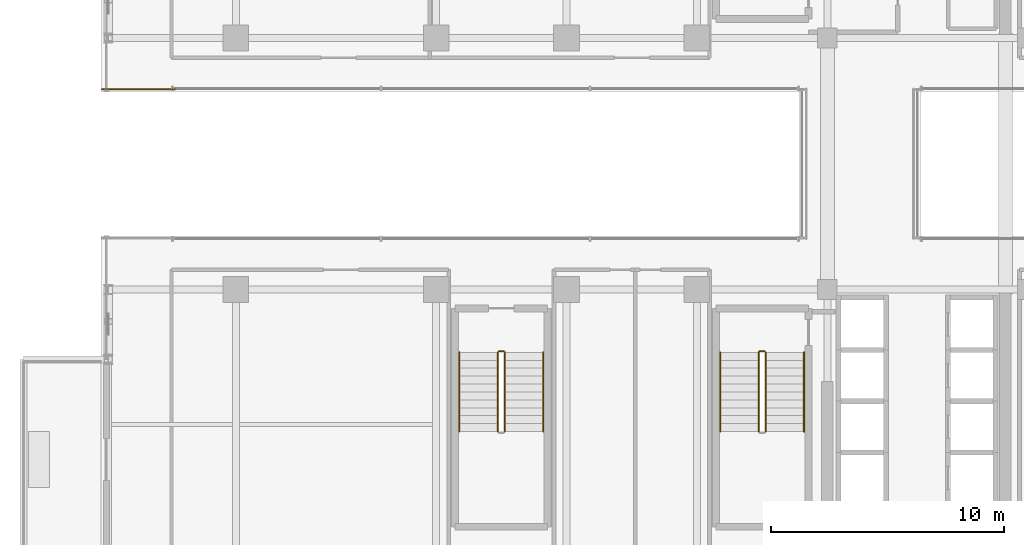
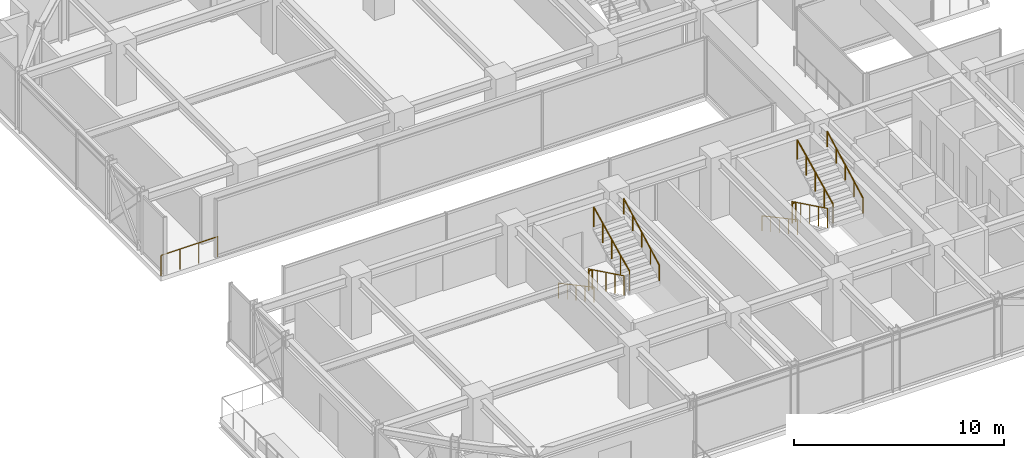
# One storey, part 34 of 36: 11 railings.
"""IFC4 building model written with IfcOpenShell, lengths in metres."""

from ifc_helpers import new_model, si_unit, direction, frame, origin, origin_2d, place, context, subcontext, project, spatial, circle, extrude, material, type_object, element, save


model = new_model("IFC4")

# Units and contexts
model_context = context("Model", 3, precision=1e-05, world=origin(), true_north=direction((0.0, 1.0)))
body_context = subcontext(model_context, "Body", "Model", "MODEL_VIEW")
ifc_project = project(units=[si_unit("LENGTHUNIT", "METRE"), si_unit("AREAUNIT", "SQUARE_METRE"), si_unit("VOLUMEUNIT", "CUBIC_METRE"), si_unit("PLANEANGLEUNIT", "RADIAN"), si_unit("MASSUNIT", "GRAM", prefix="KILO")], contexts=[model_context])

# Site, building, storey
site_placement = place(None, origin())
site = spatial("IfcSite", under=ifc_project, at=site_placement, CompositionType="ELEMENT")
building_placement = place(site_placement, origin())
building = spatial("IfcBuilding", under=site, at=building_placement, Name="Nahalor Promenade Grand Hotel", CompositionType="ELEMENT")
storey_placement = place(building_placement, frame((0.0, 0.0, 170.89990234375)))
storey = spatial("IfcBuildingStorey", under=building, at=storey_placement, Name="L43", CompositionType="ELEMENT", Elevation=170.89990234375)

# Railings
ifc_material_1 = material(Name="Anodised Bronze Aluminium EN AW-6063 T6", Category="aluminium")
railing_type_1 = type_object("IfcRailingType", Name="Bronze Balcony Guardrail 1200 mm", PredefinedType="GUARDRAIL", material=ifc_material_1)
railing_1_placement = place(storey_placement, frame((-22.739990234375, 3.199951171875, 0.0)))
element("IfcRailing", 1, at=railing_1_placement, inside=storey, type_object=railing_type_1, Name="L43 Oculus Void Edge Guardrail WN", PredefinedType="GUARDRAIL", context=body_context, shape_type="SweptSolid", body=[
    extrude(circle(Radius=0.024048, at=origin_2d()), frame((0.0, 0.0, 1.17578125), z_axis=(1.0, 0.0, 0.0), x_axis=(0.0, 1.0, 0.0)), (0.0, 0.0, 1.0), 3.119873046875),
    extrude(circle(Radius=0.020996, at=origin_2d()), origin(), (0.0, 0.0, 1.0), 1.14990234375),
    extrude(circle(Radius=0.020996, at=origin_2d()), frame((1.0400390625, 0.0, 0.0)), (0.0, 0.0, 1.0), 1.14990234375),
    extrude(circle(Radius=0.020996, at=origin_2d()), frame((2.079833984375, 0.0, 0.0)), (0.0, 0.0, 1.0), 1.14990234375),
    extrude(circle(Radius=0.020996, at=origin_2d()), frame((3.119873046875, 0.0, 0.0)), (0.0, 0.0, 1.0), 1.14990234375),
])
ifc_material_2 = material(Name="Steel S355JR", Category="steel")
railing_type_2 = type_object("IfcRailingType", Name="Steel Stair Guardrail 1150 mm", PredefinedType="GUARDRAIL", material=ifc_material_2)
railing_2_placement = place(storey_placement, frame((5.449951171875, -8.10009765625, 0.166015625)))
element("IfcRailing", 2, at=railing_2_placement, inside=storey, type_object=railing_type_2, Name="L43 ST2 stair guard 1", PredefinedType="GUARDRAIL", context=body_context, shape_type="SweptSolid", body=[
    extrude(circle(Radius=0.024048, at=origin_2d()), frame((0.0, 0.0, 1.1259765625), z_axis=(0.0, -0.898696488221, 0.438571114028), x_axis=(1.0, 0.0, 0.0)), (0.0, 0.0, 1.0), 3.783203125),
    extrude(circle(Radius=0.020996, at=origin_2d()), origin(), (0.0, 0.0, 1.0), 1.099853515625),
    extrude(circle(Radius=0.020996, at=origin_2d()), frame((0.0, -0.85009765625, 0.414794921875)), (0.0, 0.0, 1.0), 1.099853515625),
    extrude(circle(Radius=0.020996, at=origin_2d()), frame((0.0, -1.699951171875, 0.82958984375)), (0.0, 0.0, 1.0), 1.099853515625),
    extrude(circle(Radius=0.020996, at=origin_2d()), frame((0.0, -2.5498046875, 1.244384765625)), (0.0, 0.0, 1.0), 1.099853515625),
    extrude(circle(Radius=0.020996, at=origin_2d()), frame((0.0, -3.39990234375, 1.6591796875)), (0.0, 0.0, 1.0), 1.099853515625),
])
railing_3_placement = place(storey_placement, frame((5.75, -11.5, 1.990966796875)))
element("IfcRailing", 3, at=railing_3_placement, inside=storey, type_object=railing_type_2, Name="L43 ST2 stair guard 3", PredefinedType="GUARDRAIL", context=body_context, shape_type="SweptSolid", body=[
    extrude(circle(Radius=0.024048, at=origin_2d()), frame((0.0, 0.0, 1.1259765625), z_axis=(0.0, 0.898696488221, 0.438571114028), x_axis=(-1.0, 0.0, 0.0)), (0.0, 0.0, 1.0), 3.783203125),
    extrude(circle(Radius=0.020996, at=origin_2d()), origin(), (0.0, 0.0, 1.0), 1.099853515625),
    extrude(circle(Radius=0.020996, at=origin_2d()), frame((0.0, 0.85009765625, 0.414794921875)), (0.0, 0.0, 1.0), 1.099853515625),
    extrude(circle(Radius=0.020996, at=origin_2d()), frame((0.0, 1.699951171875, 0.82958984375)), (0.0, 0.0, 1.0), 1.099853515625),
    extrude(circle(Radius=0.020996, at=origin_2d()), frame((0.0, 2.5498046875, 1.244384765625)), (0.0, 0.0, 1.0), 1.099853515625),
    extrude(circle(Radius=0.020996, at=origin_2d()), frame((0.0, 3.39990234375, 1.6591796875)), (0.0, 0.0, 1.0), 1.099853515625),
])
railing_4_placement = place(storey_placement, frame((5.5, -8.050048828125, 0.0)))
element("IfcRailing", 4, at=railing_4_placement, inside=storey, type_object=railing_type_2, Name="L43 ST2 stair guard 4", PredefinedType="GUARDRAIL", context=body_context, shape_type="SweptSolid", body=[
    extrude(circle(Radius=0.024048, at=origin_2d()), frame((0.0, 0.0, 1.1259765625), z_axis=(1.0, 0.0, 0.0), x_axis=(0.0, 1.0, 0.0)), (0.0, 0.0, 1.0), 0.199951171875),
    extrude(circle(Radius=0.020996, at=origin_2d()), origin(), (0.0, 0.0, 1.0), 1.099853515625),
    extrude(circle(Radius=0.020996, at=origin_2d()), frame((0.199951171875, 0.0, 0.0)), (0.0, 0.0, 1.0), 1.099853515625),
])
railing_5_placement = place(storey_placement, frame((-5.75, -8.10009765625, 0.166015625)))
element("IfcRailing", 5, at=railing_5_placement, inside=storey, type_object=railing_type_2, Name="L43 ST3 stair guard 1", PredefinedType="GUARDRAIL", context=body_context, shape_type="SweptSolid", body=[
    extrude(circle(Radius=0.024048, at=origin_2d()), frame((0.0, 0.0, 1.1259765625), z_axis=(0.0, -0.898696488221, 0.438571114028), x_axis=(1.0, 0.0, 0.0)), (0.0, 0.0, 1.0), 3.783203125),
    extrude(circle(Radius=0.020996, at=origin_2d()), origin(), (0.0, 0.0, 1.0), 1.099853515625),
    extrude(circle(Radius=0.020996, at=origin_2d()), frame((0.0, -0.85009765625, 0.414794921875)), (0.0, 0.0, 1.0), 1.099853515625),
    extrude(circle(Radius=0.020996, at=origin_2d()), frame((0.0, -1.699951171875, 0.82958984375)), (0.0, 0.0, 1.0), 1.099853515625),
    extrude(circle(Radius=0.020996, at=origin_2d()), frame((0.0, -2.5498046875, 1.244384765625)), (0.0, 0.0, 1.0), 1.099853515625),
    extrude(circle(Radius=0.020996, at=origin_2d()), frame((0.0, -3.39990234375, 1.6591796875)), (0.0, 0.0, 1.0), 1.099853515625),
])
railing_6_placement = place(storey_placement, frame((-5.449951171875, -11.5, 1.990966796875)))
element("IfcRailing", 6, at=railing_6_placement, inside=storey, type_object=railing_type_2, Name="L43 ST3 stair guard 3", PredefinedType="GUARDRAIL", context=body_context, shape_type="SweptSolid", body=[
    extrude(circle(Radius=0.024048, at=origin_2d()), frame((0.0, 0.0, 1.1259765625), z_axis=(0.0, 0.898696488221, 0.438571114028), x_axis=(-1.0, 0.0, 0.0)), (0.0, 0.0, 1.0), 3.783203125),
    extrude(circle(Radius=0.020996, at=origin_2d()), origin(), (0.0, 0.0, 1.0), 1.099853515625),
    extrude(circle(Radius=0.020996, at=origin_2d()), frame((0.0, 0.85009765625, 0.414794921875)), (0.0, 0.0, 1.0), 1.099853515625),
    extrude(circle(Radius=0.020996, at=origin_2d()), frame((0.0, 1.699951171875, 0.82958984375)), (0.0, 0.0, 1.0), 1.099853515625),
    extrude(circle(Radius=0.020996, at=origin_2d()), frame((0.0, 2.5498046875, 1.244384765625)), (0.0, 0.0, 1.0), 1.099853515625),
    extrude(circle(Radius=0.020996, at=origin_2d()), frame((0.0, 3.39990234375, 1.6591796875)), (0.0, 0.0, 1.0), 1.099853515625),
])
railing_7_placement = place(storey_placement, frame((-5.699951171875, -8.050048828125, 0.0)))
element("IfcRailing", 7, at=railing_7_placement, inside=storey, type_object=railing_type_2, Name="L43 ST3 stair guard 4", PredefinedType="GUARDRAIL", context=body_context, shape_type="SweptSolid", body=[
    extrude(circle(Radius=0.024048, at=origin_2d()), frame((0.0, 0.0, 1.1259765625), z_axis=(1.0, 0.0, 0.0), x_axis=(0.0, 1.0, 0.0)), (0.0, 0.0, 1.0), 0.199951171875),
    extrude(circle(Radius=0.020996, at=origin_2d()), origin(), (0.0, 0.0, 1.0), 1.099853515625),
    extrude(circle(Radius=0.020996, at=origin_2d()), frame((0.199951171875, 0.0, 0.0)), (0.0, 0.0, 1.0), 1.099853515625),
])
railing_type_3 = type_object("IfcRailingType", Name="Steel Stair Handrail 900 mm", PredefinedType="HANDRAIL", material=ifc_material_2)
railing_8_placement = place(storey_placement, frame((3.800048828125, -8.10009765625, 0.166015625)))
element("IfcRailing", 8, at=railing_8_placement, inside=storey, type_object=railing_type_3, Name="L43 ST2 stair handrail 1", PredefinedType="HANDRAIL", context=body_context, shape_type="SweptSolid", body=[
    extrude(circle(Radius=0.024048, at=origin_2d()), frame((0.0, 0.0, 0.8759765625), z_axis=(0.0, -0.881094038095, 0.47294111265), x_axis=(1.0, 0.0, 0.0)), (0.0, 0.0, 1.0), 3.858642578125),
    extrude(circle(Radius=0.020996, at=origin_2d()), origin(), (0.0, 0.0, 1.0), 0.849853515625),
    extrude(circle(Radius=0.020996, at=origin_2d()), frame((0.0, -0.85009765625, 0.456298828125)), (0.0, 0.0, 1.0), 0.849853515625),
    extrude(circle(Radius=0.020996, at=origin_2d()), frame((0.0, -1.699951171875, 0.91259765625)), (0.0, 0.0, 1.0), 0.849853515625),
    extrude(circle(Radius=0.020996, at=origin_2d()), frame((0.0, -2.5498046875, 1.36865234375)), (0.0, 0.0, 1.0), 0.849853515625),
    extrude(circle(Radius=0.020996, at=origin_2d()), frame((0.0, -3.39990234375, 1.824951171875)), (0.0, 0.0, 1.0), 0.849853515625),
])
railing_9_placement = place(storey_placement, frame((7.39990234375, -11.5, 1.990966796875)))
element("IfcRailing", 9, at=railing_9_placement, inside=storey, type_object=railing_type_3, Name="L43 ST2 stair handrail 2", PredefinedType="HANDRAIL", context=body_context, shape_type="SweptSolid", body=[
    extrude(circle(Radius=0.024048, at=origin_2d()), frame((0.0, 0.0, 0.8759765625), z_axis=(0.0, 0.881094038095, 0.47294111265), x_axis=(-1.0, 0.0, 0.0)), (0.0, 0.0, 1.0), 3.858642578125),
    extrude(circle(Radius=0.020996, at=origin_2d()), origin(), (0.0, 0.0, 1.0), 0.849853515625),
    extrude(circle(Radius=0.020996, at=origin_2d()), frame((0.0, 0.85009765625, 0.456298828125)), (0.0, 0.0, 1.0), 0.849853515625),
    extrude(circle(Radius=0.020996, at=origin_2d()), frame((0.0, 1.699951171875, 0.91259765625)), (0.0, 0.0, 1.0), 0.849853515625),
    extrude(circle(Radius=0.020996, at=origin_2d()), frame((0.0, 2.5498046875, 1.36865234375)), (0.0, 0.0, 1.0), 0.849853515625),
    extrude(circle(Radius=0.020996, at=origin_2d()), frame((0.0, 3.39990234375, 1.824951171875)), (0.0, 0.0, 1.0), 0.849853515625),
])
railing_10_placement = place(storey_placement, frame((-7.39990234375, -8.10009765625, 0.166015625)))
element("IfcRailing", 10, at=railing_10_placement, inside=storey, type_object=railing_type_3, Name="L43 ST3 stair handrail 1", PredefinedType="HANDRAIL", context=body_context, shape_type="SweptSolid", body=[
    extrude(circle(Radius=0.024048, at=origin_2d()), frame((0.0, 0.0, 0.8759765625), z_axis=(0.0, -0.881094038095, 0.47294111265), x_axis=(1.0, 0.0, 0.0)), (0.0, 0.0, 1.0), 3.858642578125),
    extrude(circle(Radius=0.020996, at=origin_2d()), origin(), (0.0, 0.0, 1.0), 0.849853515625),
    extrude(circle(Radius=0.020996, at=origin_2d()), frame((0.0, -0.85009765625, 0.456298828125)), (0.0, 0.0, 1.0), 0.849853515625),
    extrude(circle(Radius=0.020996, at=origin_2d()), frame((0.0, -1.699951171875, 0.91259765625)), (0.0, 0.0, 1.0), 0.849853515625),
    extrude(circle(Radius=0.020996, at=origin_2d()), frame((0.0, -2.5498046875, 1.36865234375)), (0.0, 0.0, 1.0), 0.849853515625),
    extrude(circle(Radius=0.020996, at=origin_2d()), frame((0.0, -3.39990234375, 1.824951171875)), (0.0, 0.0, 1.0), 0.849853515625),
])
railing_11_placement = place(storey_placement, frame((-3.800048828125, -11.5, 1.990966796875)))
element("IfcRailing", 11, at=railing_11_placement, inside=storey, type_object=railing_type_3, Name="L43 ST3 stair handrail 2", PredefinedType="HANDRAIL", context=body_context, shape_type="SweptSolid", body=[
    extrude(circle(Radius=0.024048, at=origin_2d()), frame((0.0, 0.0, 0.8759765625), z_axis=(0.0, 0.881094038095, 0.47294111265), x_axis=(-1.0, 0.0, 0.0)), (0.0, 0.0, 1.0), 3.858642578125),
    extrude(circle(Radius=0.020996, at=origin_2d()), origin(), (0.0, 0.0, 1.0), 0.849853515625),
    extrude(circle(Radius=0.020996, at=origin_2d()), frame((0.0, 0.85009765625, 0.456298828125)), (0.0, 0.0, 1.0), 0.849853515625),
    extrude(circle(Radius=0.020996, at=origin_2d()), frame((0.0, 1.699951171875, 0.91259765625)), (0.0, 0.0, 1.0), 0.849853515625),
    extrude(circle(Radius=0.020996, at=origin_2d()), frame((0.0, 2.5498046875, 1.36865234375)), (0.0, 0.0, 1.0), 0.849853515625),
    extrude(circle(Radius=0.020996, at=origin_2d()), frame((0.0, 3.39990234375, 1.824951171875)), (0.0, 0.0, 1.0), 0.849853515625),
])

save(model, "model.ifc")
